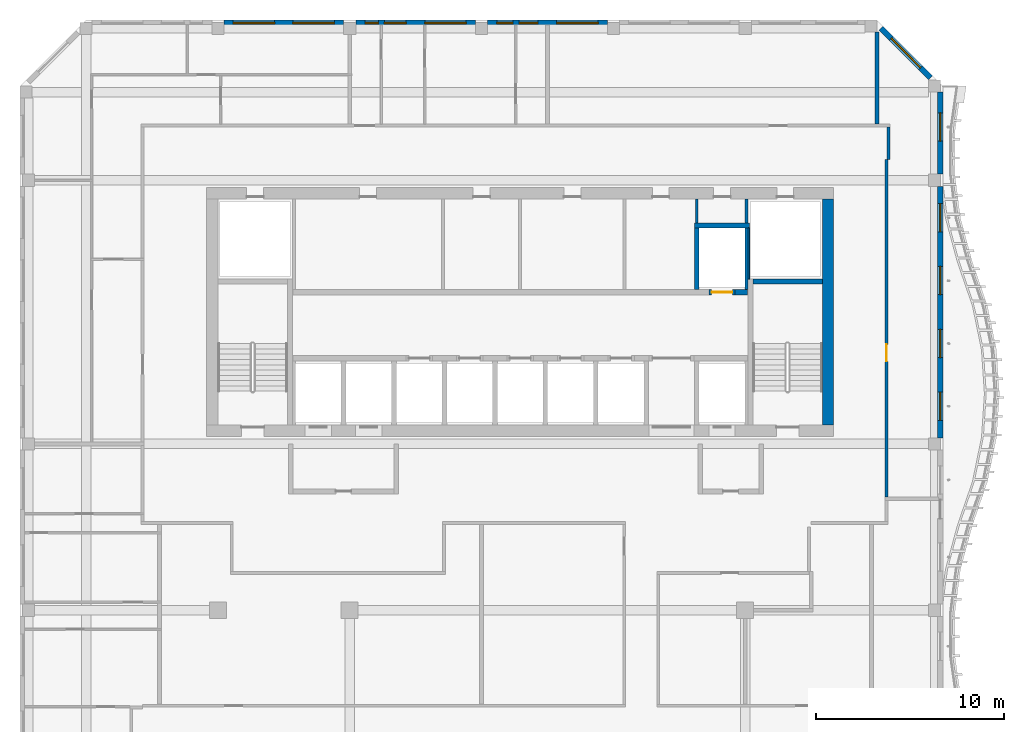
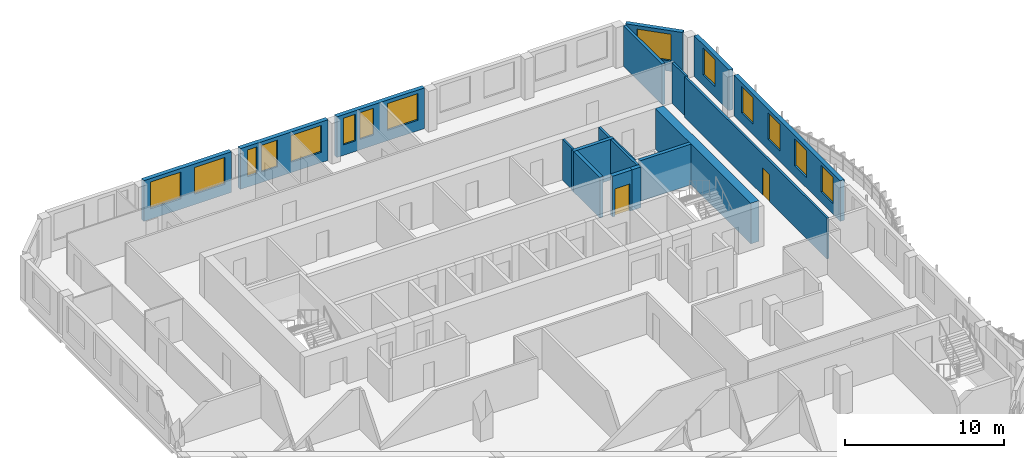
# One storey, part 8 of 18: 19 walls, 14 windows, 2 doors, 16 openings.
"""IFC4 building model written with IfcOpenShell, lengths in metres."""

from ifc_helpers import new_model, si_unit, direction, frame, frame_2d, origin, place, context, subcontext, project, spatial, rectangle, extrude, source, transform, mapped, material, layer, layer_set, type_object, element, fill, save


model = new_model("IFC4")

# Units and contexts
model_context = context("Model", 3, precision=1e-05, world=origin(), true_north=direction((0.0, 1.0)))
body_context = subcontext(model_context, "Body", "Model", "MODEL_VIEW")
ifc_project = project(units=[si_unit("LENGTHUNIT", "METRE"), si_unit("AREAUNIT", "SQUARE_METRE"), si_unit("VOLUMEUNIT", "CUBIC_METRE"), si_unit("PLANEANGLEUNIT", "RADIAN"), si_unit("MASSUNIT", "GRAM", prefix="KILO")], contexts=[model_context])

# Site, building, storey
site_placement = place(None, origin())
site = spatial("IfcSite", under=ifc_project, at=site_placement, CompositionType="ELEMENT")
building_placement = place(site_placement, origin())
building = spatial("IfcBuilding", under=site, at=building_placement, Name="Kilnfold Tower and Market Hall", CompositionType="ELEMENT")
storey_placement = place(building_placement, frame((0.0, 0.0, 280.60009765625)))
storey = spatial("IfcBuildingStorey", under=building, at=storey_placement, Name="L69", CompositionType="ELEMENT", Elevation=280.60009765625)

# Wall
ifc_material_1 = material(Name="Gypsum board on steel studs", Category="steel")
ifc_layer_1 = layer(ifc_material_1, 0.14990234375)
ifc_layer_set_1 = layer_set([ifc_layer_1], Name="Gypsum board on steel studs")
wall_type_1 = type_object("IfcWallType", Name="WALL CORRIDOR 150", PredefinedType="PARTITIONING", material=ifc_layer_set_1)
wall_1_placement = place(storey_placement, frame((20.60009765625, 23.10009765625, 0.0), z_axis=(0.0, 0.0, 1.0), x_axis=(0.0, 1.0, 0.0)))
element("IfcWall", 1, at=wall_1_placement, inside=storey, type_object=wall_type_1, Name="Partition LY42.18", PredefinedType="PARTITIONING", context=body_context, shape_type="SweptSolid", body=[
    extrude(rectangle(XDim=1.724853515625, YDim=0.14990234375, at=frame_2d((0.8623046875, 0.0))), origin(), (0.0, 0.0, 1.0), 3.119873046875),
])

# Wall, opening, door
wall_2_placement = place(storey_placement, frame((20.5, 5.173095703125, 0.0), z_axis=(0.0, 0.0, 1.0), x_axis=(0.0, 1.0, 0.0)))
wall_2 = element("IfcWall", 2, at=wall_2_placement, inside=storey, type_object=wall_type_1, Name="Partition LY42.19", PredefinedType="PARTITIONING", context=body_context, shape_type="SweptSolid", body=[
    extrude(rectangle(XDim=17.927001953125, YDim=0.14990234375, at=frame_2d((8.96337890625, 0.0))), origin(), (0.0, 0.0, 1.0), 3.119873046875),
])
opening_1_placement = place(wall_2_placement, frame((7.2109375, 0.0, 0.0)))
opening_1 = element("IfcOpeningElement", 3, at=opening_1_placement, cuts=wall_2, Name="Opening D2", PredefinedType="OPENING", context=body_context, shape_type="SweptSolid", body=[
    extrude(rectangle(XDim=0.89990234375, YDim=2.10009765625, at=frame_2d((0.449951171875, 1.050048828125))), frame((0.0, 0.0849609375, 0.0), z_axis=(0.0, -1.0, 0.0), x_axis=(1.0, 0.0, 0.0)), (0.0, 0.0, 1.0), 0.169921875),
])
ifc_material_2 = material(Name="Timber veneer door leaf in steel frame", Category="steel")
door_type_1 = type_object("IfcDoorType", Name="DOOR ROOM 900 X2100", OperationType="NOTDEFINED", PredefinedType="DOOR", material=ifc_material_2)
door_1_placement = place(opening_1_placement, origin())
door_1 = element("IfcDoor", 4, at=door_1_placement, inside=storey, type_object=door_type_1, Name="Door D2", OperationType="SINGLE_SWING_LEFT", OverallHeight=2.10009765625, OverallWidth=0.89990234375, PredefinedType="DOOR", context=body_context, shape_type="SweptSolid", body=[
    extrude(rectangle(XDim=0.89990234375, YDim=2.10009765625, at=frame_2d((0.449951171875, 1.050048828125))), frame((0.0, 0.02490234375, 0.0), z_axis=(0.0, -1.0, 0.0), x_axis=(1.0, 0.0, 0.0)), (0.0, 0.0, 1.0), 0.050048828125),
])
fill(opening_1, door_1)

# Walls
ifc_material_3 = material(Name="Gypsum board on steel studs", Category="steel")
ifc_layer_2 = layer(ifc_material_3, 0.199951171875)
ifc_layer_set_2 = layer_set([ifc_layer_2], Name="Gypsum board on steel studs")
wall_type_2 = type_object("IfcWallType", Name="WALL PARTY 200", PredefinedType="PARTITIONING", material=ifc_layer_set_2)
wall_3_placement = place(storey_placement, frame((20.0, 29.85693359375, 0.0), z_axis=(0.0, 0.0, 1.0), x_axis=(0.0, -1.0, 0.0)))
element("IfcWall", 5, at=wall_3_placement, inside=storey, type_object=wall_type_2, Name="Partition LY42.64", PredefinedType="PARTITIONING", context=body_context, shape_type="SweptSolid", body=[
    extrude(rectangle(XDim=4.8798828125, YDim=0.199951171875, at=frame_2d((2.43994140625, 0.0))), origin(), (0.0, 0.0, 1.0), 3.119873046875),
])
ifc_material_4 = material(Name="Concrete C50", Category="concrete")
ifc_layer_3 = layer(ifc_material_4, 0.25)
ifc_layer_set_3 = layer_set([ifc_layer_3], Name="Concrete C50")
wall_type_3 = type_object("IfcWallType", Name="CORE WALL 250 C50", PredefinedType="SHEAR", material=ifc_layer_set_3)
shared_shape_1 = source(origin(), body_context, "Body", "SweptSolid", [
    extrude(rectangle(XDim=3.7001953125, YDim=0.25, at=frame_2d((1.85009765625, 0.0))), origin(), (0.0, 0.0, 1.0), 3.119873046875),
])
wall_4_placement = place(storey_placement, frame((13.39990234375, 16.625, 0.0), z_axis=(0.0, 0.0, 1.0), x_axis=(1.0, 0.0, 0.0)))
element("IfcWall", 6, at=wall_4_placement, inside=storey, type_object=wall_type_3, Name="Stair enclosure ST2", PredefinedType="SHEAR", context=body_context, shape_type="MappedRepresentation", body=[
    mapped(shared_shape_1, transform((0.0, 0.0, 0.0))),
])
ifc_material_5 = material(Name="Concrete C50", Category="concrete")
ifc_layer_4 = layer(ifc_material_5, 0.300048828125)
ifc_layer_set_4 = layer_set([ifc_layer_4], Name="Concrete C50")
wall_type_4 = type_object("IfcWallType", Name="CORE WALL 300 C50", PredefinedType="SHEAR", material=ifc_layer_set_4)
shared_shape_2 = source(origin(), body_context, "Body", "SweptSolid", [
    extrude(rectangle(XDim=0.64013671875, YDim=0.300048828125, at=frame_2d((0.320068359375, 0.0))), origin(), (0.0, 0.0, 1.0), 3.119873046875),
])
wall_5_placement = place(storey_placement, frame((12.469970703125, 16.050048828125, 0.0), z_axis=(0.0, 0.0, 1.0), x_axis=(1.0, 0.0, 0.0)))
element("IfcWall", 7, at=wall_5_placement, inside=storey, type_object=wall_type_4, Name="Core spine wall", PredefinedType="SHEAR", context=body_context, shape_type="MappedRepresentation", body=[
    mapped(shared_shape_2, transform((0.0, 0.0, 0.0))),
])
ifc_material_6 = material(Name="Concrete C50", Category="concrete")
ifc_layer_5 = layer(ifc_material_6, 0.60009765625)
ifc_layer_set_5 = layer_set([ifc_layer_5], Name="Concrete C50")
wall_type_5 = type_object("IfcWallType", Name="CORE WALL 600 C50", PredefinedType="SHEAR", material=ifc_layer_set_5)
shared_shape_3 = source(origin(), body_context, "Body", "SweptSolid", [
    extrude(rectangle(XDim=12.0, YDim=0.60009765625, at=frame_2d((6.0, 0.0))), origin(), (0.0, 0.0, 1.0), 3.119873046875),
])
wall_6_placement = place(storey_placement, frame((17.39990234375, 9.0, 0.0), z_axis=(0.0, 0.0, 1.0), x_axis=(0.0, 1.0, 0.0)))
element("IfcWall", 8, at=wall_6_placement, inside=storey, type_object=wall_type_5, Name="Core outer wall east", PredefinedType="SHEAR", context=body_context, shape_type="MappedRepresentation", body=[
    mapped(shared_shape_3, transform((0.0, 0.0, 0.0))),
])

# Wall, openings, windows
ifc_material_7 = material(Name="Precast concrete C50/60", Category="concrete")
ifc_layer_6 = layer(ifc_material_7, 0.300048828125)
ifc_layer_set_6 = layer_set([ifc_layer_6], Name="Precast concrete C50/60")
wall_type_6 = type_object("IfcWallType", Name="PRECAST WALL 300", PredefinedType="SOLIDWALL", material=ifc_layer_set_6)
shared_shape_4 = source(origin(), body_context, "Body", "SweptSolid", [
    extrude(rectangle(XDim=6.35009765625, YDim=0.300048828125, at=frame_2d((3.175048828125, 0.0))), origin(), (0.0, 0.0, 1.0), 3.119873046875),
])
wall_7_placement = place(storey_placement, frame((5.675048828125, 30.35009765625, 0.0), z_axis=(0.0, 0.0, 1.0), x_axis=(-1.0, 0.0, 0.0)))
wall_7 = element("IfcWall", 9, at=wall_7_placement, inside=storey, type_object=wall_type_6, Name="External wall L69 N", PredefinedType="SOLIDWALL", context=body_context, shape_type="MappedRepresentation", body=[
    mapped(shared_shape_4, transform((0.0, 0.0, 0.0))),
])
opening_2_placement = place(wall_7_placement, frame((0.487548828125, 0.0, 0.800048828125)))
opening_2 = element("IfcOpeningElement", 10, at=opening_2_placement, cuts=wall_7, Name="Opening W3", PredefinedType="OPENING", context=body_context, shape_type="SweptSolid", body=[
    extrude(rectangle(XDim=2.199951171875, YDim=2.050048828125, at=frame_2d((1.10009765625, 1.02490234375))), frame((0.0, 0.16015625, 0.0), z_axis=(0.0, -1.0, 0.0), x_axis=(1.0, 0.0, 0.0)), (0.0, 0.0, 1.0), 0.320068359375),
])
opening_3_placement = place(wall_7_placement, frame((3.68359375, 0.0, 0.800048828125)))
opening_3 = element("IfcOpeningElement", 11, at=opening_3_placement, cuts=wall_7, Name="Opening W3-A", PredefinedType="OPENING", context=body_context, shape_type="SweptSolid", body=[
    extrude(rectangle(XDim=1.0, YDim=2.050048828125, at=frame_2d((0.5, 1.02490234375))), frame((0.0, 0.16015625, 0.0), z_axis=(0.0, -1.0, 0.0), x_axis=(1.0, 0.0, 0.0)), (0.0, 0.0, 1.0), 0.320068359375),
])
opening_4_placement = place(wall_7_placement, frame((5.0087890625, 0.0, 0.800048828125)))
opening_4 = element("IfcOpeningElement", 12, at=opening_4_placement, cuts=wall_7, Name="Opening W3-B", PredefinedType="OPENING", context=body_context, shape_type="SweptSolid", body=[
    extrude(rectangle(XDim=0.85009765625, YDim=2.050048828125, at=frame_2d((0.425048828125, 1.02490234375))), frame((0.0, 0.16015625, 0.0), z_axis=(0.0, -1.0, 0.0), x_axis=(1.0, 0.0, 0.0)), (0.0, 0.0, 1.0), 0.320068359375),
])
ifc_material_8 = material(Name="Aluminium frame and double glazing", Category="aluminium")
window_type_1 = type_object("IfcWindowType", Name="WINDOW W3 2200X2050", PartitioningType="SINGLE_PANEL", PredefinedType="WINDOW", material=ifc_material_8)
window_1_placement = place(opening_2_placement, origin())
window_1 = element("IfcWindow", 13, at=window_1_placement, inside=storey, type_object=window_type_1, Name="Window W3 L69 N-1", OverallHeight=2.050048828125, OverallWidth=2.199951171875, PartitioningType="SINGLE_PANEL", PredefinedType="WINDOW", context=body_context, shape_type="SweptSolid", body=[
    extrude(rectangle(XDim=2.199951171875, YDim=2.050048828125, at=frame_2d((1.10009765625, 1.02490234375))), frame((0.0, 0.030029296875, 0.0), z_axis=(0.0, -1.0, 0.0), x_axis=(1.0, 0.0, 0.0)), (0.0, 0.0, 1.0), 0.06005859375),
])
fill(opening_2, window_1)
ifc_material_9 = material(Name="Aluminium frame and double glazing", Category="aluminium")
window_type_2 = type_object("IfcWindowType", Name="WINDOW W3-A 1000X2050", PartitioningType="SINGLE_PANEL", PredefinedType="WINDOW", material=ifc_material_9)
window_2_placement = place(opening_3_placement, origin())
window_2 = element("IfcWindow", 14, at=window_2_placement, inside=storey, type_object=window_type_2, Name="Window W3-A L69 N-2", OverallHeight=2.050048828125, OverallWidth=1.0, PartitioningType="SINGLE_PANEL", PredefinedType="WINDOW", context=body_context, shape_type="SweptSolid", body=[
    extrude(rectangle(XDim=1.0, YDim=2.050048828125, at=frame_2d((0.5, 1.02490234375))), frame((0.0, 0.030029296875, 0.0), z_axis=(0.0, -1.0, 0.0), x_axis=(1.0, 0.0, 0.0)), (0.0, 0.0, 1.0), 0.06005859375),
])
fill(opening_3, window_2)
ifc_material_10 = material(Name="Aluminium frame and double glazing", Category="aluminium")
window_type_3 = type_object("IfcWindowType", Name="WINDOW W3-B 850X2050", PartitioningType="SINGLE_PANEL", PredefinedType="WINDOW", material=ifc_material_10)
window_3_placement = place(opening_4_placement, origin())
window_3 = element("IfcWindow", 15, at=window_3_placement, inside=storey, type_object=window_type_3, Name="Window W3-A L69 N-2", OverallHeight=2.050048828125, OverallWidth=0.85009765625, PartitioningType="SINGLE_PANEL", PredefinedType="WINDOW", context=body_context, shape_type="SweptSolid", body=[
    extrude(rectangle(XDim=0.85009765625, YDim=2.050048828125, at=frame_2d((0.425048828125, 1.02490234375))), frame((0.0, 0.030029296875, 0.0), z_axis=(0.0, -1.0, 0.0), x_axis=(1.0, 0.0, 0.0)), (0.0, 0.0, 1.0), 0.06005859375),
])
fill(opening_4, window_3)

wall_8_placement = place(storey_placement, frame((-1.324951171875, 30.35009765625, 0.0), z_axis=(0.0, 0.0, 1.0), x_axis=(-1.0, 0.0, 0.0)))
wall_8 = element("IfcWall", 16, at=wall_8_placement, inside=storey, type_object=wall_type_6, Name="External wall L69 N", PredefinedType="SOLIDWALL", context=body_context, shape_type="MappedRepresentation", body=[
    mapped(shared_shape_4, transform((0.0, 0.0, 0.0))),
])
opening_5_placement = place(wall_8_placement, frame((0.487548828125, 0.0, 0.800048828125)))
opening_5 = element("IfcOpeningElement", 17, at=opening_5_placement, cuts=wall_8, Name="Opening W3", PredefinedType="OPENING", context=body_context, shape_type="SweptSolid", body=[
    extrude(rectangle(XDim=2.199951171875, YDim=2.050048828125, at=frame_2d((1.10009765625, 1.02490234375))), frame((0.0, 0.16015625, 0.0), z_axis=(0.0, -1.0, 0.0), x_axis=(1.0, 0.0, 0.0)), (0.0, 0.0, 1.0), 0.320068359375),
])
opening_6_placement = place(wall_8_placement, frame((3.6787109375, 0.0, 0.800048828125)))
opening_6 = element("IfcOpeningElement", 18, at=opening_6_placement, cuts=wall_8, Name="Opening W3-C", PredefinedType="OPENING", context=body_context, shape_type="SweptSolid", body=[
    extrude(rectangle(XDim=1.14990234375, YDim=2.050048828125, at=frame_2d((0.574951171875, 1.02490234375))), frame((0.0, 0.16015625, 0.0), z_axis=(0.0, -1.0, 0.0), x_axis=(1.0, 0.0, 0.0)), (0.0, 0.0, 1.0), 0.320068359375),
])
opening_7_placement = place(wall_8_placement, frame((5.15380859375, 0.0, 0.800048828125)))
opening_7 = element("IfcOpeningElement", 19, at=opening_7_placement, cuts=wall_8, Name="Opening W3-D", PredefinedType="OPENING", context=body_context, shape_type="SweptSolid", body=[
    extrude(rectangle(XDim=0.699951171875, YDim=2.050048828125, at=frame_2d((0.35009765625, 1.02490234375))), frame((0.0, 0.16015625, 0.0), z_axis=(0.0, -1.0, 0.0), x_axis=(1.0, 0.0, 0.0)), (0.0, 0.0, 1.0), 0.320068359375),
])
window_4_placement = place(opening_5_placement, origin())
window_4 = element("IfcWindow", 20, at=window_4_placement, inside=storey, type_object=window_type_1, Name="Window W3 L69 N-1", OverallHeight=2.050048828125, OverallWidth=2.199951171875, PartitioningType="SINGLE_PANEL", PredefinedType="WINDOW", context=body_context, shape_type="SweptSolid", body=[
    extrude(rectangle(XDim=2.199951171875, YDim=2.050048828125, at=frame_2d((1.10009765625, 1.02490234375))), frame((0.0, 0.030029296875, 0.0), z_axis=(0.0, -1.0, 0.0), x_axis=(1.0, 0.0, 0.0)), (0.0, 0.0, 1.0), 0.06005859375),
])
fill(opening_5, window_4)
ifc_material_11 = material(Name="Aluminium frame and double glazing", Category="aluminium")
window_type_4 = type_object("IfcWindowType", Name="WINDOW W3-C 1150X2050", PartitioningType="SINGLE_PANEL", PredefinedType="WINDOW", material=ifc_material_11)
window_5_placement = place(opening_6_placement, origin())
window_5 = element("IfcWindow", 21, at=window_5_placement, inside=storey, type_object=window_type_4, Name="Window W3-C L69 N-2", OverallHeight=2.050048828125, OverallWidth=1.14990234375, PartitioningType="SINGLE_PANEL", PredefinedType="WINDOW", context=body_context, shape_type="SweptSolid", body=[
    extrude(rectangle(XDim=1.14990234375, YDim=2.050048828125, at=frame_2d((0.574951171875, 1.02490234375))), frame((0.0, 0.030029296875, 0.0), z_axis=(0.0, -1.0, 0.0), x_axis=(1.0, 0.0, 0.0)), (0.0, 0.0, 1.0), 0.06005859375),
])
fill(opening_6, window_5)
ifc_material_12 = material(Name="Aluminium frame and double glazing", Category="aluminium")
window_type_5 = type_object("IfcWindowType", Name="WINDOW W3-D 700X2050", PartitioningType="SINGLE_PANEL", PredefinedType="WINDOW", material=ifc_material_12)
window_6_placement = place(opening_7_placement, origin())
window_6 = element("IfcWindow", 22, at=window_6_placement, inside=storey, type_object=window_type_5, Name="Window W3-C L69 N-2", OverallHeight=2.050048828125, OverallWidth=0.699951171875, PartitioningType="SINGLE_PANEL", PredefinedType="WINDOW", context=body_context, shape_type="SweptSolid", body=[
    extrude(rectangle(XDim=0.699951171875, YDim=2.050048828125, at=frame_2d((0.35009765625, 1.02490234375))), frame((0.0, 0.030029296875, 0.0), z_axis=(0.0, -1.0, 0.0), x_axis=(1.0, 0.0, 0.0)), (0.0, 0.0, 1.0), 0.06005859375),
])
fill(opening_7, window_6)

wall_9_placement = place(storey_placement, frame((-8.324951171875, 30.35009765625, 0.0), z_axis=(0.0, 0.0, 1.0), x_axis=(-1.0, 0.0, 0.0)))
wall_9 = element("IfcWall", 23, at=wall_9_placement, inside=storey, type_object=wall_type_6, Name="External wall L69 N", PredefinedType="SOLIDWALL", context=body_context, shape_type="MappedRepresentation", body=[
    mapped(shared_shape_4, transform((0.0, 0.0, 0.0))),
])
opening_8_placement = place(wall_9_placement, frame((0.487548828125, 0.0, 0.800048828125)))
opening_8 = element("IfcOpeningElement", 24, at=opening_8_placement, cuts=wall_9, Name="Opening W3", PredefinedType="OPENING", context=body_context, shape_type="SweptSolid", body=[
    extrude(rectangle(XDim=2.199951171875, YDim=2.050048828125, at=frame_2d((1.10009765625, 1.02490234375))), frame((0.0, 0.16015625, 0.0), z_axis=(0.0, -1.0, 0.0), x_axis=(1.0, 0.0, 0.0)), (0.0, 0.0, 1.0), 0.320068359375),
])
opening_9_placement = place(wall_9_placement, frame((3.66259765625, 0.0, 0.800048828125)))
opening_9 = element("IfcOpeningElement", 25, at=opening_9_placement, cuts=wall_9, Name="Opening W3", PredefinedType="OPENING", context=body_context, shape_type="SweptSolid", body=[
    extrude(rectangle(XDim=2.199951171875, YDim=2.050048828125, at=frame_2d((1.10009765625, 1.02490234375))), frame((0.0, 0.16015625, 0.0), z_axis=(0.0, -1.0, 0.0), x_axis=(1.0, 0.0, 0.0)), (0.0, 0.0, 1.0), 0.320068359375),
])
window_7_placement = place(opening_8_placement, origin())
window_7 = element("IfcWindow", 26, at=window_7_placement, inside=storey, type_object=window_type_1, Name="Window W3 L69 N-1", OverallHeight=2.050048828125, OverallWidth=2.199951171875, PartitioningType="SINGLE_PANEL", PredefinedType="WINDOW", context=body_context, shape_type="SweptSolid", body=[
    extrude(rectangle(XDim=2.199951171875, YDim=2.050048828125, at=frame_2d((1.10009765625, 1.02490234375))), frame((0.0, 0.030029296875, 0.0), z_axis=(0.0, -1.0, 0.0), x_axis=(1.0, 0.0, 0.0)), (0.0, 0.0, 1.0), 0.06005859375),
])
fill(opening_8, window_7)
window_8_placement = place(opening_9_placement, origin())
window_8 = element("IfcWindow", 27, at=window_8_placement, inside=storey, type_object=window_type_1, Name="Window W3 L69 N-2", OverallHeight=2.050048828125, OverallWidth=2.199951171875, PartitioningType="SINGLE_PANEL", PredefinedType="WINDOW", context=body_context, shape_type="SweptSolid", body=[
    extrude(rectangle(XDim=2.199951171875, YDim=2.050048828125, at=frame_2d((1.10009765625, 1.02490234375))), frame((0.0, 0.030029296875, 0.0), z_axis=(0.0, -1.0, 0.0), x_axis=(1.0, 0.0, 0.0)), (0.0, 0.0, 1.0), 0.06005859375),
])
fill(opening_9, window_8)

# Wall, opening, window
shared_shape_5 = source(origin(), body_context, "Body", "SweptSolid", [
    extrude(rectangle(XDim=3.71240234375, YDim=0.300048828125, at=frame_2d((1.856201171875, 0.0))), origin(), (0.0, 0.0, 1.0), 3.119873046875),
])
wall_10_placement = place(storey_placement, frame((22.843994140625, 27.44384765625, 0.0), z_axis=(0.0, 0.0, 1.0), x_axis=(-0.707106781187, 0.707106781187, 0.0)))
wall_10 = element("IfcWall", 28, at=wall_10_placement, inside=storey, type_object=wall_type_6, Name="External wall L69 NE", PredefinedType="SOLIDWALL", context=body_context, shape_type="MappedRepresentation", body=[
    mapped(shared_shape_5, transform((0.0, 0.0, 0.0))),
])
opening_10_placement = place(wall_10_placement, frame((0.756103515625, 0.0, 0.800048828125)))
opening_10 = element("IfcOpeningElement", 29, at=opening_10_placement, cuts=wall_10, Name="Opening W3", PredefinedType="OPENING", context=body_context, shape_type="SweptSolid", body=[
    extrude(rectangle(XDim=2.199951171875, YDim=2.050048828125, at=frame_2d((1.10009765625, 1.02490234375))), frame((0.0, 0.16015625, 0.0), z_axis=(0.0, -1.0, 0.0), x_axis=(1.0, 0.0, 0.0)), (0.0, 0.0, 1.0), 0.320068359375),
])
window_9_placement = place(opening_10_placement, origin())
window_9 = element("IfcWindow", 30, at=window_9_placement, inside=storey, type_object=window_type_1, Name="Window W3 L69 NE-1", OverallHeight=2.050048828125, OverallWidth=2.199951171875, PartitioningType="SINGLE_PANEL", PredefinedType="WINDOW", context=body_context, shape_type="SweptSolid", body=[
    extrude(rectangle(XDim=2.199951171875, YDim=2.050048828125, at=frame_2d((1.10009765625, 1.02490234375))), frame((0.0, 0.030029296875, 0.0), z_axis=(0.0, -1.0, 0.0), x_axis=(1.0, 0.0, 0.0)), (0.0, 0.0, 1.0), 0.06005859375),
])
fill(opening_10, window_9)

# Wall, openings, windows
shared_shape_6 = source(origin(), body_context, "Body", "SweptSolid", [
    extrude(rectangle(XDim=13.35009765625, YDim=0.300048828125, at=frame_2d((6.675048828125, 0.0))), origin(), (0.0, 0.0, 1.0), 3.119873046875),
])
wall_11_placement = place(storey_placement, frame((23.35009765625, 8.324951171875, 0.0), z_axis=(0.0, 0.0, 1.0), x_axis=(0.0, 1.0, 0.0)))
wall_11 = element("IfcWall", 31, at=wall_11_placement, inside=storey, type_object=wall_type_6, Name="External wall L69 E", PredefinedType="SOLIDWALL", context=body_context, shape_type="MappedRepresentation", body=[
    mapped(shared_shape_6, transform((0.0, 0.0, 0.0))),
])
opening_11_placement = place(wall_11_placement, frame((0.918701171875, 0.0, 0.800048828125)))
opening_11 = element("IfcOpeningElement", 32, at=opening_11_placement, cuts=wall_11, Name="Opening W5", PredefinedType="OPENING", context=body_context, shape_type="SweptSolid", body=[
    extrude(rectangle(XDim=1.5, YDim=2.050048828125, at=frame_2d((0.75, 1.02490234375))), frame((0.0, 0.16015625, 0.0), z_axis=(0.0, -1.0, 0.0), x_axis=(1.0, 0.0, 0.0)), (0.0, 0.0, 1.0), 0.320068359375),
])
opening_12_placement = place(wall_11_placement, frame((4.25634765625, 0.0, 0.800048828125)))
opening_12 = element("IfcOpeningElement", 33, at=opening_12_placement, cuts=wall_11, Name="Opening W5", PredefinedType="OPENING", context=body_context, shape_type="SweptSolid", body=[
    extrude(rectangle(XDim=1.5, YDim=2.050048828125, at=frame_2d((0.75, 1.02490234375))), frame((0.0, 0.16015625, 0.0), z_axis=(0.0, -1.0, 0.0), x_axis=(1.0, 0.0, 0.0)), (0.0, 0.0, 1.0), 0.320068359375),
])
opening_13_placement = place(wall_11_placement, frame((7.59375, 0.0, 0.800048828125)))
opening_13 = element("IfcOpeningElement", 34, at=opening_13_placement, cuts=wall_11, Name="Opening W5", PredefinedType="OPENING", context=body_context, shape_type="SweptSolid", body=[
    extrude(rectangle(XDim=1.5, YDim=2.050048828125, at=frame_2d((0.75, 1.02490234375))), frame((0.0, 0.16015625, 0.0), z_axis=(0.0, -1.0, 0.0), x_axis=(1.0, 0.0, 0.0)), (0.0, 0.0, 1.0), 0.320068359375),
])
opening_14_placement = place(wall_11_placement, frame((10.93115234375, 0.0, 0.800048828125)))
opening_14 = element("IfcOpeningElement", 35, at=opening_14_placement, cuts=wall_11, Name="Opening W5", PredefinedType="OPENING", context=body_context, shape_type="SweptSolid", body=[
    extrude(rectangle(XDim=1.5, YDim=2.050048828125, at=frame_2d((0.75, 1.02490234375))), frame((0.0, 0.16015625, 0.0), z_axis=(0.0, -1.0, 0.0), x_axis=(1.0, 0.0, 0.0)), (0.0, 0.0, 1.0), 0.320068359375),
])
ifc_material_13 = material(Name="Aluminium frame and double glazing", Category="aluminium")
window_type_6 = type_object("IfcWindowType", Name="WINDOW W5 1500X2050", PartitioningType="SINGLE_PANEL", PredefinedType="WINDOW", material=ifc_material_13)
window_10_placement = place(opening_11_placement, origin())
window_10 = element("IfcWindow", 36, at=window_10_placement, inside=storey, type_object=window_type_6, Name="Window W5 L69 E-1", OverallHeight=2.050048828125, OverallWidth=1.5, PartitioningType="SINGLE_PANEL", PredefinedType="WINDOW", context=body_context, shape_type="SweptSolid", body=[
    extrude(rectangle(XDim=1.5, YDim=2.050048828125, at=frame_2d((0.75, 1.02490234375))), frame((0.0, 0.030029296875, 0.0), z_axis=(0.0, -1.0, 0.0), x_axis=(1.0, 0.0, 0.0)), (0.0, 0.0, 1.0), 0.06005859375),
])
fill(opening_11, window_10)
window_11_placement = place(opening_12_placement, origin())
window_11 = element("IfcWindow", 37, at=window_11_placement, inside=storey, type_object=window_type_6, Name="Window W5 L69 E-2", OverallHeight=2.050048828125, OverallWidth=1.5, PartitioningType="SINGLE_PANEL", PredefinedType="WINDOW", context=body_context, shape_type="SweptSolid", body=[
    extrude(rectangle(XDim=1.5, YDim=2.050048828125, at=frame_2d((0.75, 1.02490234375))), frame((0.0, 0.030029296875, 0.0), z_axis=(0.0, -1.0, 0.0), x_axis=(1.0, 0.0, 0.0)), (0.0, 0.0, 1.0), 0.06005859375),
])
fill(opening_12, window_11)
window_12_placement = place(opening_13_placement, origin())
window_12 = element("IfcWindow", 38, at=window_12_placement, inside=storey, type_object=window_type_6, Name="Window W5 L69 E-3", OverallHeight=2.050048828125, OverallWidth=1.5, PartitioningType="SINGLE_PANEL", PredefinedType="WINDOW", context=body_context, shape_type="SweptSolid", body=[
    extrude(rectangle(XDim=1.5, YDim=2.050048828125, at=frame_2d((0.75, 1.02490234375))), frame((0.0, 0.030029296875, 0.0), z_axis=(0.0, -1.0, 0.0), x_axis=(1.0, 0.0, 0.0)), (0.0, 0.0, 1.0), 0.06005859375),
])
fill(opening_13, window_12)
window_13_placement = place(opening_14_placement, origin())
window_13 = element("IfcWindow", 39, at=window_13_placement, inside=storey, type_object=window_type_6, Name="Window W5 L69 E-4", OverallHeight=2.050048828125, OverallWidth=1.5, PartitioningType="SINGLE_PANEL", PredefinedType="WINDOW", context=body_context, shape_type="SweptSolid", body=[
    extrude(rectangle(XDim=1.5, YDim=2.050048828125, at=frame_2d((0.75, 1.02490234375))), frame((0.0, 0.030029296875, 0.0), z_axis=(0.0, -1.0, 0.0), x_axis=(1.0, 0.0, 0.0)), (0.0, 0.0, 1.0), 0.06005859375),
])
fill(opening_14, window_13)

# Wall, opening, window
shared_shape_7 = source(origin(), body_context, "Body", "SweptSolid", [
    extrude(rectangle(XDim=4.35009765625, YDim=0.300048828125, at=frame_2d((2.175048828125, 0.0))), origin(), (0.0, 0.0, 1.0), 3.119873046875),
])
wall_12_placement = place(storey_placement, frame((23.35009765625, 22.324951171875, 0.0), z_axis=(0.0, 0.0, 1.0), x_axis=(0.0, 1.0, 0.0)))
wall_12 = element("IfcWall", 40, at=wall_12_placement, inside=storey, type_object=wall_type_6, Name="External wall L69 E", PredefinedType="SOLIDWALL", context=body_context, shape_type="MappedRepresentation", body=[
    mapped(shared_shape_7, transform((0.0, 0.0, 0.0))),
])
opening_15_placement = place(wall_12_placement, frame((1.75, 0.0, 0.800048828125)))
opening_15 = element("IfcOpeningElement", 41, at=opening_15_placement, cuts=wall_12, Name="Opening W5", PredefinedType="OPENING", context=body_context, shape_type="SweptSolid", body=[
    extrude(rectangle(XDim=1.5, YDim=2.050048828125, at=frame_2d((0.75, 1.02490234375))), frame((0.0, 0.16015625, 0.0), z_axis=(0.0, -1.0, 0.0), x_axis=(1.0, 0.0, 0.0)), (0.0, 0.0, 1.0), 0.320068359375),
])
window_14_placement = place(opening_15_placement, origin())
window_14 = element("IfcWindow", 42, at=window_14_placement, inside=storey, type_object=window_type_6, Name="Window W5 L69 E-1", OverallHeight=2.050048828125, OverallWidth=1.5, PartitioningType="SINGLE_PANEL", PredefinedType="WINDOW", context=body_context, shape_type="SweptSolid", body=[
    extrude(rectangle(XDim=1.5, YDim=2.050048828125, at=frame_2d((0.75, 1.02490234375))), frame((0.0, 0.030029296875, 0.0), z_axis=(0.0, -1.0, 0.0), x_axis=(1.0, 0.0, 0.0)), (0.0, 0.0, 1.0), 0.06005859375),
])
fill(opening_15, window_14)

# Wall, opening, door
ifc_material_14 = material(Name="Gypsum shaft wall system")
ifc_layer_7 = layer(ifc_material_14, 0.300048828125)
ifc_layer_set_7 = layer_set([ifc_layer_7], Name="Gypsum shaft wall system")
wall_type_7 = type_object("IfcWallType", Name="SHAFT WALL 300", PredefinedType="PARTITIONING", material=ifc_layer_set_7)
shared_shape_8 = source(origin(), body_context, "Body", "SweptSolid", [
    extrude(rectangle(XDim=1.39990234375, YDim=0.300048828125, at=frame_2d((0.699951171875, 0.0))), origin(), (0.0, 0.0, 1.0), 3.119873046875),
])
wall_13_placement = place(storey_placement, frame((11.070068359375, 16.050048828125, 0.0), z_axis=(0.0, 0.0, 1.0), x_axis=(1.0, 0.0, 0.0)))
wall_13 = element("IfcWall", 43, at=wall_13_placement, inside=storey, type_object=wall_type_7, Name="Lift shaft front wall", PredefinedType="PARTITIONING", context=body_context, shape_type="MappedRepresentation", body=[
    mapped(shared_shape_8, transform((0.0, 0.0, 0.0))),
])
opening_16_placement = place(wall_13_placement, frame((0.14990234375, 0.0, 0.0)))
opening_16 = element("IfcOpeningElement", 44, at=opening_16_placement, cuts=wall_13, Name="Opening LD2", PredefinedType="OPENING", context=body_context, shape_type="SweptSolid", body=[
    extrude(rectangle(XDim=1.10009765625, YDim=2.10009765625, at=frame_2d((0.550048828125, 1.050048828125))), frame((0.0, 0.16015625, 0.0), z_axis=(0.0, -1.0, 0.0), x_axis=(1.0, 0.0, 0.0)), (0.0, 0.0, 1.0), 0.320068359375),
])
ifc_material_15 = material(Name="Steel door set with fire-resisting leaf", Category="steel")
door_type_2 = type_object("IfcDoorType", Name="LANDING DOOR 1100X2100", OperationType="NOTDEFINED", PredefinedType="DOOR", material=ifc_material_15)
door_2_placement = place(opening_16_placement, origin())
door_2 = element("IfcDoor", 45, at=door_2_placement, inside=storey, type_object=door_type_2, Name="Landing door HR6", OperationType="DOUBLE_DOOR_SLIDING", OverallHeight=2.10009765625, OverallWidth=1.10009765625, PredefinedType="DOOR", context=body_context, shape_type="SweptSolid", body=[
    extrude(rectangle(XDim=1.10009765625, YDim=2.10009765625, at=frame_2d((0.550048828125, 1.050048828125))), frame((0.0, 0.02490234375, 0.0), z_axis=(0.0, -1.0, 0.0), x_axis=(1.0, 0.0, 0.0)), (0.0, 0.0, 1.0), 0.050048828125),
])
fill(opening_16, door_2)

# Walls
ifc_material_16 = material(Name="Gypsum shaft wall system")
ifc_layer_8 = layer(ifc_material_16, 0.1650390625)
ifc_layer_set_8 = layer_set([ifc_layer_8], Name="Gypsum shaft wall system")
wall_type_8 = type_object("IfcWallType", Name="SHAFT WALL 165", PredefinedType="PARTITIONING", material=ifc_layer_set_8)
shared_shape_9 = source(origin(), body_context, "Body", "SweptSolid", [
    extrude(rectangle(XDim=3.275146484375, YDim=0.1650390625, at=frame_2d((1.6376953125, 0.0))), origin(), (0.0, 0.0, 1.0), 3.119873046875),
])
wall_14_placement = place(storey_placement, frame((13.0673828125, 16.199951171875, 0.0), z_axis=(0.0, 0.0, 1.0), x_axis=(0.0, 1.0, 0.0)))
element("IfcWall", 46, at=wall_14_placement, inside=storey, type_object=wall_type_8, Name="Lift shaft wall", PredefinedType="PARTITIONING", context=body_context, shape_type="MappedRepresentation", body=[
    mapped(shared_shape_9, transform((0.0, 0.0, 0.0))),
])
shared_shape_10 = source(origin(), body_context, "Body", "SweptSolid", [
    extrude(rectangle(XDim=1.27490234375, YDim=0.1650390625, at=frame_2d((0.637451171875, 0.0))), origin(), (0.0, 0.0, 1.0), 3.119873046875),
])
wall_15_placement = place(storey_placement, frame((13.0673828125, 19.72509765625, 0.0), z_axis=(0.0, 0.0, 1.0), x_axis=(0.0, 1.0, 0.0)))
element("IfcWall", 47, at=wall_15_placement, inside=storey, type_object=wall_type_8, Name="Lift shaft wall", PredefinedType="PARTITIONING", context=body_context, shape_type="MappedRepresentation", body=[
    mapped(shared_shape_10, transform((0.0, 0.0, 0.0))),
])
ifc_material_17 = material(Name="Gypsum shaft wall system")
ifc_layer_9 = layer(ifc_material_17, 0.25)
ifc_layer_set_9 = layer_set([ifc_layer_9], Name="Gypsum shaft wall system")
wall_type_9 = type_object("IfcWallType", Name="SHAFT WALL 250", PredefinedType="PARTITIONING", material=ifc_layer_set_9)
shared_shape_11 = source(origin(), body_context, "Body", "SweptSolid", [
    extrude(rectangle(XDim=3.275146484375, YDim=0.25, at=frame_2d((1.6376953125, 0.0))), origin(), (0.0, 0.0, 1.0), 3.119873046875),
])
wall_16_placement = place(storey_placement, frame((10.429931640625, 16.199951171875, 0.0), z_axis=(0.0, 0.0, 1.0), x_axis=(0.0, 1.0, 0.0)))
element("IfcWall", 48, at=wall_16_placement, inside=storey, type_object=wall_type_9, Name="Lift shaft wall", PredefinedType="PARTITIONING", context=body_context, shape_type="MappedRepresentation", body=[
    mapped(shared_shape_11, transform((0.0, 0.0, 0.0))),
])
ifc_material_18 = material(Name="Gypsum shaft wall system")
ifc_layer_10 = layer(ifc_material_18, 0.0849609375)
ifc_layer_set_10 = layer_set([ifc_layer_10], Name="Gypsum shaft wall system")
wall_type_10 = type_object("IfcWallType", Name="SHAFT WALL 85", PredefinedType="PARTITIONING", material=ifc_layer_set_10)
shared_shape_12 = source(origin(), body_context, "Body", "SweptSolid", [
    extrude(rectangle(XDim=2.72509765625, YDim=0.0849609375, at=frame_2d((1.362548828125, 0.0))), origin(), (0.0, 0.0, 1.0), 3.119873046875),
])
wall_17_placement = place(storey_placement, frame((13.1923828125, 16.75, 0.0), z_axis=(0.0, 0.0, 1.0), x_axis=(0.0, 1.0, 0.0)))
element("IfcWall", 49, at=wall_17_placement, inside=storey, type_object=wall_type_10, Name="Lift shaft wall", PredefinedType="PARTITIONING", context=body_context, shape_type="MappedRepresentation", body=[
    mapped(shared_shape_12, transform((0.0, 0.0, 0.0))),
])
ifc_material_19 = material(Name="Gypsum shaft wall system")
ifc_layer_11 = layer(ifc_material_19, 0.14990234375)
ifc_layer_set_11 = layer_set([ifc_layer_11], Name="Gypsum shaft wall system")
wall_type_11 = type_object("IfcWallType", Name="ROOM WALL 150", PredefinedType="PARTITIONING", material=ifc_layer_set_11)
shared_shape_13 = source(origin(), body_context, "Body", "SweptSolid", [
    extrude(rectangle(XDim=1.27490234375, YDim=0.14990234375, at=frame_2d((0.637451171875, 0.0))), origin(), (0.0, 0.0, 1.0), 3.119873046875),
])
wall_18_placement = place(storey_placement, frame((10.429931640625, 19.72509765625, 0.0), z_axis=(0.0, 0.0, 1.0), x_axis=(0.0, 1.0, 0.0)))
element("IfcWall", 50, at=wall_18_placement, inside=storey, type_object=wall_type_11, Name="Core room wall", PredefinedType="PARTITIONING", context=body_context, shape_type="MappedRepresentation", body=[
    mapped(shared_shape_13, transform((0.0, 0.0, 0.0))),
])
shared_shape_14 = source(origin(), body_context, "Body", "SweptSolid", [
    extrude(rectangle(XDim=2.93017578125, YDim=0.25, at=frame_2d((1.465087890625, 0.0))), origin(), (0.0, 0.0, 1.0), 3.119873046875),
])
wall_19_placement = place(storey_placement, frame((10.304931640625, 19.60009765625, 0.0), z_axis=(0.0, 0.0, 1.0), x_axis=(1.0, 0.0, 0.0)))
element("IfcWall", 51, at=wall_19_placement, inside=storey, type_object=wall_type_9, Name="Lift shaft wall", PredefinedType="PARTITIONING", context=body_context, shape_type="MappedRepresentation", body=[
    mapped(shared_shape_14, transform((0.0, 0.0, 0.0))),
])

save(model, "model.ifc")
